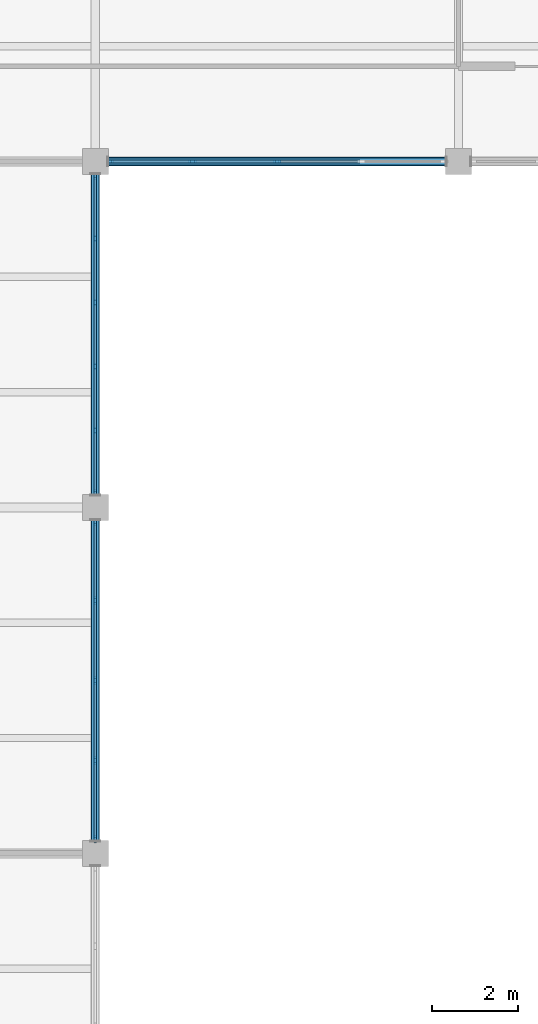
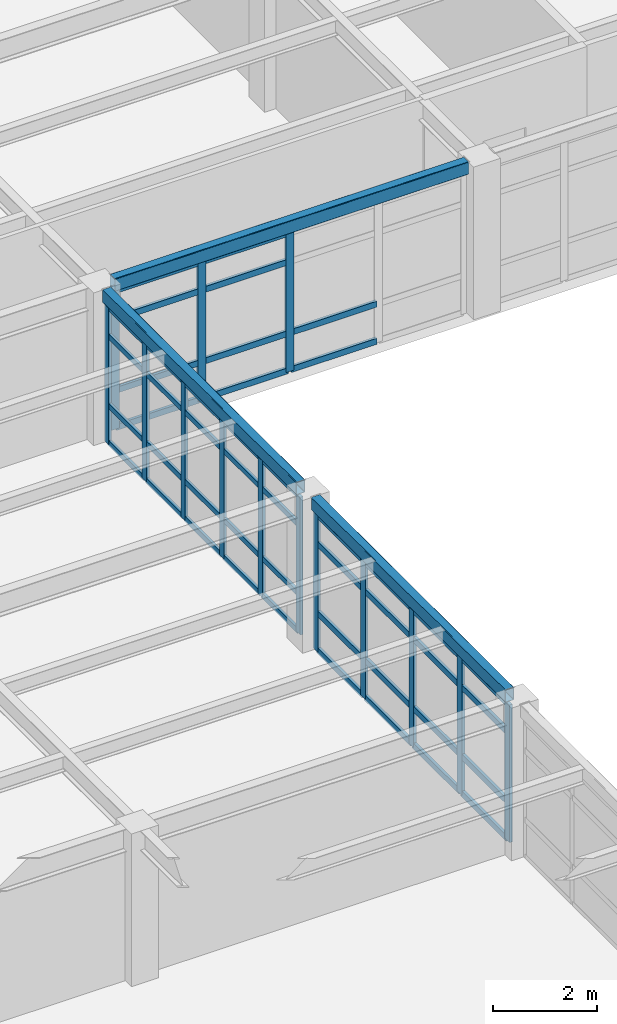
# One storey, part 23 of 96: 60 members, 3 beams, 3 elements without a shape of their own.
"""IFC4 building model written with IfcOpenShell, lengths in metres."""

from ifc_helpers import new_model, si_unit, direction, frame, origin, origin_2d, place, context, subcontext, project, spatial, rectangle, hollow_rectangle, extrude, material, layer, layer_set, material_profile, profile_set, type_object, element, aggregate, save


model = new_model("IFC4")

# Units and contexts
model_context = context("Model", 3, precision=1e-05, world=origin(), true_north=direction((0.0, 1.0)))
body_context = subcontext(model_context, "Body", "Model", "MODEL_VIEW")
ifc_project = project(units=[si_unit("LENGTHUNIT", "METRE"), si_unit("AREAUNIT", "SQUARE_METRE"), si_unit("VOLUMEUNIT", "CUBIC_METRE"), si_unit("PLANEANGLEUNIT", "RADIAN"), si_unit("MASSUNIT", "GRAM", prefix="KILO")], contexts=[model_context])

# Site, building, storey
site_placement = place(None, origin())
site = spatial("IfcSite", under=ifc_project, at=site_placement, CompositionType="ELEMENT")
building_placement = place(site_placement, origin())
building = spatial("IfcBuilding", under=site, at=building_placement, Name="Kranzveld Transit Interchange", CompositionType="ELEMENT")
storey_placement = place(building_placement, frame((0.0, 0.0, 9.52001953125)))
storey = spatial("IfcBuildingStorey", under=building, at=storey_placement, Name="L02", CompositionType="ELEMENT", Elevation=9.52001953125)

# Curtain wall, members
ifc_material_1 = material(Name="Bronze-anodised thermally broken aluminium", Category="aluminium")
ifc_layer_1 = layer(ifc_material_1, 0.1650390625)
ifc_layer_set_1 = layer_set([ifc_layer_1], Name="Bronze-anodised thermally broken aluminium")
curtain_wall_type_1 = type_object("IfcCurtainWallType", Name="Sunny Court Arcade Curtain Wall CW-2", PredefinedType="USERDEFINED", material=ifc_layer_set_1)
curtain_wall_1_placement = place(storey_placement, origin())
curtain_wall_1 = element("IfcCurtainWall", 1, at=curtain_wall_1_placement, inside=storey, type_object=curtain_wall_type_1, Name="L02 Curtain Wall 05/L-05/M", ObjectType="CURTAIN WALL", PredefinedType="USERDEFINED")
ifc_material_2 = material(Name="Bronze-anodised thermally broken aluminium", Category="aluminium")
ifc_material_profile_1 = material_profile(ifc_material_2, rectangle(XDim=0.06494140625, YDim=0.1650390625, at=origin_2d()), Name="ALU MULLION 65x165")
ifc_profile_set_1 = profile_set([ifc_material_profile_1], Name="Bronze-anodised thermally broken aluminium")
member_type_1 = type_object("IfcMemberType", Name="Curtain Wall Mullion 65x165 Alu", PredefinedType="MULLION", material=ifc_profile_set_1)
member_1_placement = place(storey_placement, frame((33.60009765625, 80.33251953125, 0.0), z_axis=(0.0, 0.0, 1.0), x_axis=(-1.0, 0.0, 0.0)))
member_1 = element("IfcMember", 2, at=member_1_placement, type_object=member_type_1, Name="CW-2 mullion 1", PredefinedType="MULLION", context=body_context, shape_type="SweptSolid", body=[
    extrude(rectangle(XDim=0.06494140625, YDim=0.1650390625, at=origin_2d()), origin(), (0.0, 0.0, 1.0), 3.218505859375),
])
member_2_placement = place(storey_placement, frame((33.60009765625, 81.780029296875, 0.0), z_axis=(0.0, 0.0, 1.0), x_axis=(-1.0, 0.0, 0.0)))
member_2 = element("IfcMember", 3, at=member_2_placement, type_object=member_type_1, Name="CW-2 mullion 2", PredefinedType="MULLION", context=body_context, shape_type="SweptSolid", body=[
    extrude(rectangle(XDim=0.06494140625, YDim=0.1650390625, at=origin_2d()), origin(), (0.0, 0.0, 1.0), 3.218505859375),
])
member_3_placement = place(storey_placement, frame((33.60009765625, 83.260009765625, 0.0), z_axis=(0.0, 0.0, 1.0), x_axis=(-1.0, 0.0, 0.0)))
member_3 = element("IfcMember", 4, at=member_3_placement, type_object=member_type_1, Name="CW-2 mullion 3", PredefinedType="MULLION", context=body_context, shape_type="SweptSolid", body=[
    extrude(rectangle(XDim=0.06494140625, YDim=0.1650390625, at=origin_2d()), origin(), (0.0, 0.0, 1.0), 3.218505859375),
])
member_4_placement = place(storey_placement, frame((33.60009765625, 84.739990234375, 0.0), z_axis=(0.0, 0.0, 1.0), x_axis=(-1.0, 0.0, 0.0)))
member_4 = element("IfcMember", 5, at=member_4_placement, type_object=member_type_1, Name="CW-2 mullion 4", PredefinedType="MULLION", context=body_context, shape_type="SweptSolid", body=[
    extrude(rectangle(XDim=0.06494140625, YDim=0.1650390625, at=origin_2d()), origin(), (0.0, 0.0, 1.0), 3.218505859375),
])
member_5_placement = place(storey_placement, frame((33.60009765625, 86.219970703125, 0.0), z_axis=(0.0, 0.0, 1.0), x_axis=(-1.0, 0.0, 0.0)))
member_5 = element("IfcMember", 6, at=member_5_placement, type_object=member_type_1, Name="CW-2 mullion 5", PredefinedType="MULLION", context=body_context, shape_type="SweptSolid", body=[
    extrude(rectangle(XDim=0.06494140625, YDim=0.1650390625, at=origin_2d()), origin(), (0.0, 0.0, 1.0), 3.218505859375),
])
member_6_placement = place(storey_placement, frame((33.60009765625, 87.66748046875, 0.0), z_axis=(0.0, 0.0, 1.0), x_axis=(-1.0, 0.0, 0.0)))
member_6 = element("IfcMember", 7, at=member_6_placement, type_object=member_type_1, Name="CW-2 mullion 6", PredefinedType="MULLION", context=body_context, shape_type="SweptSolid", body=[
    extrude(rectangle(XDim=0.06494140625, YDim=0.1650390625, at=origin_2d()), origin(), (0.0, 0.0, 1.0), 3.218505859375),
])

ifc_material_3 = material(Name="Bronze-anodised thermally broken aluminium", Category="aluminium")
ifc_layer_2 = layer(ifc_material_3, 0.18505859375)
ifc_layer_set_2 = layer_set([ifc_layer_2], Name="Bronze-anodised thermally broken aluminium")
curtain_wall_type_2 = type_object("IfcCurtainWallType", Name="Control Crown Observation Facade CW-5", PredefinedType="USERDEFINED", material=ifc_layer_set_2)
curtain_wall_2_placement = place(storey_placement, origin())
curtain_wall_2 = element("IfcCurtainWall", 8, at=curtain_wall_2_placement, inside=storey, type_object=curtain_wall_type_2, Name="L02 Curtain Wall 05/M-06/M", ObjectType="CURTAIN WALL", PredefinedType="USERDEFINED")
ifc_material_4 = material(Name="Bronze-anodised thermally broken aluminium", Category="aluminium")
ifc_material_profile_2 = material_profile(ifc_material_4, rectangle(XDim=0.06494140625, YDim=0.179931640625, at=origin_2d()), Name="ALU MULLION 65x180")
ifc_profile_set_2 = profile_set([ifc_material_profile_2], Name="Bronze-anodised thermally broken aluminium")
member_type_2 = type_object("IfcMemberType", Name="Curtain Wall Mullion 65x180 Alu", PredefinedType="MULLION", material=ifc_profile_set_2)
member_7_placement = place(storey_placement, frame((33.9326171875, 88.0, 0.0), z_axis=(0.0, 0.0, 1.0), x_axis=(0.0, 1.0, 0.0)))
member_7 = element("IfcMember", 9, at=member_7_placement, type_object=member_type_2, Name="CW-5 mullion 1", PredefinedType="MULLION", context=body_context, shape_type="SweptSolid", body=[
    extrude(rectangle(XDim=0.06494140625, YDim=0.179931640625, at=origin_2d()), origin(), (0.0, 0.0, 1.0), 3.27001953125),
])
member_8_placement = place(storey_placement, frame((35.85009765625, 88.0, 0.0), z_axis=(0.0, 0.0, 1.0), x_axis=(0.0, 1.0, 0.0)))
member_8 = element("IfcMember", 10, at=member_8_placement, type_object=member_type_2, Name="CW-5 mullion 2", PredefinedType="MULLION", context=body_context, shape_type="SweptSolid", body=[
    extrude(rectangle(XDim=0.06494140625, YDim=0.179931640625, at=origin_2d()), origin(), (0.0, 0.0, 1.0), 3.27001953125),
])
member_9_placement = place(storey_placement, frame((37.800048828125, 88.0, 0.0), z_axis=(0.0, 0.0, 1.0), x_axis=(0.0, 1.0, 0.0)))
member_9 = element("IfcMember", 11, at=member_9_placement, type_object=member_type_2, Name="CW-5 mullion 3", PredefinedType="MULLION", context=body_context, shape_type="SweptSolid", body=[
    extrude(rectangle(XDim=0.06494140625, YDim=0.179931640625, at=origin_2d()), origin(), (0.0, 0.0, 1.0), 3.27001953125),
])

ifc_material_5 = material(Name="Bronze-anodised thermally broken aluminium", Category="aluminium")
ifc_layer_3 = layer(ifc_material_5, 0.179931640625)
ifc_layer_set_3 = layer_set([ifc_layer_3], Name="Bronze-anodised thermally broken aluminium")
curtain_wall_type_3 = type_object("IfcCurtainWallType", Name="Concourse Unitised Curtain Wall CW-1", PredefinedType="USERDEFINED", material=ifc_layer_set_3)
curtain_wall_3_placement = place(storey_placement, origin())
curtain_wall_3 = element("IfcCurtainWall", 12, at=curtain_wall_3_placement, inside=storey, type_object=curtain_wall_type_3, Name="L02 Curtain Wall 05/K-05/L", ObjectType="CURTAIN WALL", PredefinedType="USERDEFINED")
member_10_placement = place(storey_placement, frame((33.60009765625, 72.33251953125, 0.0), z_axis=(0.0, 0.0, 1.0), x_axis=(-1.0, 0.0, 0.0)))
member_10 = element("IfcMember", 13, at=member_10_placement, type_object=member_type_2, Name="CW-1 mullion 1", PredefinedType="MULLION", context=body_context, shape_type="SweptSolid", body=[
    extrude(rectangle(XDim=0.06494140625, YDim=0.179931640625, at=origin_2d()), origin(), (0.0, 0.0, 1.0), 3.218505859375),
])
member_11_placement = place(storey_placement, frame((33.60009765625, 74.14990234375, 0.0), z_axis=(0.0, 0.0, 1.0), x_axis=(-1.0, 0.0, 0.0)))
member_11 = element("IfcMember", 14, at=member_11_placement, type_object=member_type_2, Name="CW-1 mullion 2", PredefinedType="MULLION", context=body_context, shape_type="SweptSolid", body=[
    extrude(rectangle(XDim=0.06494140625, YDim=0.179931640625, at=origin_2d()), origin(), (0.0, 0.0, 1.0), 3.218505859375),
])
member_12_placement = place(storey_placement, frame((33.60009765625, 76.0, 0.0), z_axis=(0.0, 0.0, 1.0), x_axis=(-1.0, 0.0, 0.0)))
member_12 = element("IfcMember", 15, at=member_12_placement, type_object=member_type_2, Name="CW-1 mullion 3", PredefinedType="MULLION", context=body_context, shape_type="SweptSolid", body=[
    extrude(rectangle(XDim=0.06494140625, YDim=0.179931640625, at=origin_2d()), origin(), (0.0, 0.0, 1.0), 3.218505859375),
])
member_13_placement = place(storey_placement, frame((33.60009765625, 77.85009765625, 0.0), z_axis=(0.0, 0.0, 1.0), x_axis=(-1.0, 0.0, 0.0)))
member_13 = element("IfcMember", 16, at=member_13_placement, type_object=member_type_2, Name="CW-1 mullion 4", PredefinedType="MULLION", context=body_context, shape_type="SweptSolid", body=[
    extrude(rectangle(XDim=0.06494140625, YDim=0.179931640625, at=origin_2d()), origin(), (0.0, 0.0, 1.0), 3.218505859375),
])
member_14_placement = place(storey_placement, frame((33.60009765625, 79.66748046875, 0.0), z_axis=(0.0, 0.0, 1.0), x_axis=(-1.0, 0.0, 0.0)))
member_14 = element("IfcMember", 17, at=member_14_placement, type_object=member_type_2, Name="CW-1 mullion 5", PredefinedType="MULLION", context=body_context, shape_type="SweptSolid", body=[
    extrude(rectangle(XDim=0.06494140625, YDim=0.179931640625, at=origin_2d()), origin(), (0.0, 0.0, 1.0), 3.218505859375),
])

# Member
ifc_material_6 = material(Name="Bronze-anodised thermally broken aluminium", Category="aluminium")
ifc_material_profile_3 = material_profile(ifc_material_6, rectangle(XDim=0.06005859375, YDim=0.125, at=origin_2d()), Name="ALU TRANSOM 60x125")
ifc_profile_set_3 = profile_set([ifc_material_profile_3], Name="Bronze-anodised thermally broken aluminium")
member_type_3 = type_object("IfcMemberType", Name="Curtain Wall Transom 60x125 Alu", PredefinedType="USERDEFINED", material=ifc_profile_set_3)
member_15_placement = place(storey_placement, frame((33.60009765625, 80.364990234375, 0.030029296875), z_axis=(0.0, 1.0, 0.0), x_axis=(-1.0, 0.0, 0.0)))
member_15 = element("IfcMember", 18, at=member_15_placement, type_object=member_type_3, Name="CW-2 transom 1.1", ObjectType="TRANSOM", PredefinedType="USERDEFINED", context=body_context, shape_type="SweptSolid", body=[
    extrude(rectangle(XDim=0.06005859375, YDim=0.125, at=origin_2d()), origin(), (0.0, 0.0, 1.0), 1.382568359375),
])

member_16_placement = place(storey_placement, frame((33.60009765625, 80.364990234375, 0.89990234375), z_axis=(0.0, 1.0, 0.0), x_axis=(-1.0, 0.0, 0.0)))
member_16 = element("IfcMember", 19, at=member_16_placement, type_object=member_type_3, Name="CW-2 transom 1.2", ObjectType="TRANSOM", PredefinedType="USERDEFINED", context=body_context, shape_type="SweptSolid", body=[
    extrude(rectangle(XDim=0.06005859375, YDim=0.125, at=origin_2d()), origin(), (0.0, 0.0, 1.0), 1.382568359375),
])

member_17_placement = place(storey_placement, frame((33.60009765625, 80.364990234375, 2.5185546875), z_axis=(0.0, 1.0, 0.0), x_axis=(-1.0, 0.0, 0.0)))
member_17 = element("IfcMember", 20, at=member_17_placement, type_object=member_type_3, Name="CW-2 transom 1.3", ObjectType="TRANSOM", PredefinedType="USERDEFINED", context=body_context, shape_type="SweptSolid", body=[
    extrude(rectangle(XDim=0.06005859375, YDim=0.125, at=origin_2d()), origin(), (0.0, 0.0, 1.0), 1.382568359375),
])

member_18_placement = place(storey_placement, frame((33.60009765625, 80.364990234375, 3.1884765625), z_axis=(0.0, 1.0, 0.0), x_axis=(-1.0, 0.0, 0.0)))
member_18 = element("IfcMember", 21, at=member_18_placement, type_object=member_type_3, Name="CW-2 transom 1.4", ObjectType="TRANSOM", PredefinedType="USERDEFINED", context=body_context, shape_type="SweptSolid", body=[
    extrude(rectangle(XDim=0.06005859375, YDim=0.125, at=origin_2d()), origin(), (0.0, 0.0, 1.0), 1.382568359375),
])

member_19_placement = place(storey_placement, frame((33.60009765625, 81.8125, 0.030029296875), z_axis=(0.0, 1.0, 0.0), x_axis=(-1.0, 0.0, 0.0)))
member_19 = element("IfcMember", 22, at=member_19_placement, type_object=member_type_3, Name="CW-2 transom 2.1", ObjectType="TRANSOM", PredefinedType="USERDEFINED", context=body_context, shape_type="SweptSolid", body=[
    extrude(rectangle(XDim=0.06005859375, YDim=0.125, at=origin_2d()), origin(), (0.0, 0.0, 1.0), 1.4150390625),
])

member_20_placement = place(storey_placement, frame((33.60009765625, 81.8125, 0.89990234375), z_axis=(0.0, 1.0, 0.0), x_axis=(-1.0, 0.0, 0.0)))
member_20 = element("IfcMember", 23, at=member_20_placement, type_object=member_type_3, Name="CW-2 transom 2.2", ObjectType="TRANSOM", PredefinedType="USERDEFINED", context=body_context, shape_type="SweptSolid", body=[
    extrude(rectangle(XDim=0.06005859375, YDim=0.125, at=origin_2d()), origin(), (0.0, 0.0, 1.0), 1.4150390625),
])

member_21_placement = place(storey_placement, frame((33.60009765625, 81.8125, 2.5185546875), z_axis=(0.0, 1.0, 0.0), x_axis=(-1.0, 0.0, 0.0)))
member_21 = element("IfcMember", 24, at=member_21_placement, type_object=member_type_3, Name="CW-2 transom 2.3", ObjectType="TRANSOM", PredefinedType="USERDEFINED", context=body_context, shape_type="SweptSolid", body=[
    extrude(rectangle(XDim=0.06005859375, YDim=0.125, at=origin_2d()), origin(), (0.0, 0.0, 1.0), 1.4150390625),
])

member_22_placement = place(storey_placement, frame((33.60009765625, 81.8125, 3.1884765625), z_axis=(0.0, 1.0, 0.0), x_axis=(-1.0, 0.0, 0.0)))
member_22 = element("IfcMember", 25, at=member_22_placement, type_object=member_type_3, Name="CW-2 transom 2.4", ObjectType="TRANSOM", PredefinedType="USERDEFINED", context=body_context, shape_type="SweptSolid", body=[
    extrude(rectangle(XDim=0.06005859375, YDim=0.125, at=origin_2d()), origin(), (0.0, 0.0, 1.0), 1.4150390625),
])

member_23_placement = place(storey_placement, frame((33.60009765625, 83.29248046875, 0.030029296875), z_axis=(0.0, 1.0, 0.0), x_axis=(-1.0, 0.0, 0.0)))
member_23 = element("IfcMember", 26, at=member_23_placement, type_object=member_type_3, Name="CW-2 transom 3.1", ObjectType="TRANSOM", PredefinedType="USERDEFINED", context=body_context, shape_type="SweptSolid", body=[
    extrude(rectangle(XDim=0.06005859375, YDim=0.125, at=origin_2d()), origin(), (0.0, 0.0, 1.0), 1.4150390625),
])

member_24_placement = place(storey_placement, frame((33.60009765625, 83.29248046875, 0.89990234375), z_axis=(0.0, 1.0, 0.0), x_axis=(-1.0, 0.0, 0.0)))
member_24 = element("IfcMember", 27, at=member_24_placement, type_object=member_type_3, Name="CW-2 transom 3.2", ObjectType="TRANSOM", PredefinedType="USERDEFINED", context=body_context, shape_type="SweptSolid", body=[
    extrude(rectangle(XDim=0.06005859375, YDim=0.125, at=origin_2d()), origin(), (0.0, 0.0, 1.0), 1.4150390625),
])

member_25_placement = place(storey_placement, frame((33.60009765625, 83.29248046875, 2.5185546875), z_axis=(0.0, 1.0, 0.0), x_axis=(-1.0, 0.0, 0.0)))
member_25 = element("IfcMember", 28, at=member_25_placement, type_object=member_type_3, Name="CW-2 transom 3.3", ObjectType="TRANSOM", PredefinedType="USERDEFINED", context=body_context, shape_type="SweptSolid", body=[
    extrude(rectangle(XDim=0.06005859375, YDim=0.125, at=origin_2d()), origin(), (0.0, 0.0, 1.0), 1.4150390625),
])

member_26_placement = place(storey_placement, frame((33.60009765625, 83.29248046875, 3.1884765625), z_axis=(0.0, 1.0, 0.0), x_axis=(-1.0, 0.0, 0.0)))
member_26 = element("IfcMember", 29, at=member_26_placement, type_object=member_type_3, Name="CW-2 transom 3.4", ObjectType="TRANSOM", PredefinedType="USERDEFINED", context=body_context, shape_type="SweptSolid", body=[
    extrude(rectangle(XDim=0.06005859375, YDim=0.125, at=origin_2d()), origin(), (0.0, 0.0, 1.0), 1.4150390625),
])

member_27_placement = place(storey_placement, frame((33.60009765625, 84.7724609375, 0.030029296875), z_axis=(0.0, 1.0, 0.0), x_axis=(-1.0, 0.0, 0.0)))
member_27 = element("IfcMember", 30, at=member_27_placement, type_object=member_type_3, Name="CW-2 transom 4.1", ObjectType="TRANSOM", PredefinedType="USERDEFINED", context=body_context, shape_type="SweptSolid", body=[
    extrude(rectangle(XDim=0.06005859375, YDim=0.125, at=origin_2d()), origin(), (0.0, 0.0, 1.0), 1.4150390625),
])

member_28_placement = place(storey_placement, frame((33.60009765625, 84.7724609375, 0.89990234375), z_axis=(0.0, 1.0, 0.0), x_axis=(-1.0, 0.0, 0.0)))
member_28 = element("IfcMember", 31, at=member_28_placement, type_object=member_type_3, Name="CW-2 transom 4.2", ObjectType="TRANSOM", PredefinedType="USERDEFINED", context=body_context, shape_type="SweptSolid", body=[
    extrude(rectangle(XDim=0.06005859375, YDim=0.125, at=origin_2d()), origin(), (0.0, 0.0, 1.0), 1.4150390625),
])

member_29_placement = place(storey_placement, frame((33.60009765625, 84.7724609375, 2.5185546875), z_axis=(0.0, 1.0, 0.0), x_axis=(-1.0, 0.0, 0.0)))
member_29 = element("IfcMember", 32, at=member_29_placement, type_object=member_type_3, Name="CW-2 transom 4.3", ObjectType="TRANSOM", PredefinedType="USERDEFINED", context=body_context, shape_type="SweptSolid", body=[
    extrude(rectangle(XDim=0.06005859375, YDim=0.125, at=origin_2d()), origin(), (0.0, 0.0, 1.0), 1.4150390625),
])

member_30_placement = place(storey_placement, frame((33.60009765625, 84.7724609375, 3.1884765625), z_axis=(0.0, 1.0, 0.0), x_axis=(-1.0, 0.0, 0.0)))
member_30 = element("IfcMember", 33, at=member_30_placement, type_object=member_type_3, Name="CW-2 transom 4.4", ObjectType="TRANSOM", PredefinedType="USERDEFINED", context=body_context, shape_type="SweptSolid", body=[
    extrude(rectangle(XDim=0.06005859375, YDim=0.125, at=origin_2d()), origin(), (0.0, 0.0, 1.0), 1.4150390625),
])

member_31_placement = place(storey_placement, frame((33.60009765625, 86.25244140625, 0.030029296875), z_axis=(0.0, 1.0, 0.0), x_axis=(-1.0, 0.0, 0.0)))
member_31 = element("IfcMember", 34, at=member_31_placement, type_object=member_type_3, Name="CW-2 transom 5.1", ObjectType="TRANSOM", PredefinedType="USERDEFINED", context=body_context, shape_type="SweptSolid", body=[
    extrude(rectangle(XDim=0.06005859375, YDim=0.125, at=origin_2d()), origin(), (0.0, 0.0, 1.0), 1.382568359375),
])

member_32_placement = place(storey_placement, frame((33.60009765625, 86.25244140625, 0.89990234375), z_axis=(0.0, 1.0, 0.0), x_axis=(-1.0, 0.0, 0.0)))
member_32 = element("IfcMember", 35, at=member_32_placement, type_object=member_type_3, Name="CW-2 transom 5.2", ObjectType="TRANSOM", PredefinedType="USERDEFINED", context=body_context, shape_type="SweptSolid", body=[
    extrude(rectangle(XDim=0.06005859375, YDim=0.125, at=origin_2d()), origin(), (0.0, 0.0, 1.0), 1.382568359375),
])

member_33_placement = place(storey_placement, frame((33.60009765625, 86.25244140625, 2.5185546875), z_axis=(0.0, 1.0, 0.0), x_axis=(-1.0, 0.0, 0.0)))
member_33 = element("IfcMember", 36, at=member_33_placement, type_object=member_type_3, Name="CW-2 transom 5.3", ObjectType="TRANSOM", PredefinedType="USERDEFINED", context=body_context, shape_type="SweptSolid", body=[
    extrude(rectangle(XDim=0.06005859375, YDim=0.125, at=origin_2d()), origin(), (0.0, 0.0, 1.0), 1.382568359375),
])

member_34_placement = place(storey_placement, frame((33.60009765625, 86.25244140625, 3.1884765625), z_axis=(0.0, 1.0, 0.0), x_axis=(-1.0, 0.0, 0.0)))
member_34 = element("IfcMember", 37, at=member_34_placement, type_object=member_type_3, Name="CW-2 transom 5.4", ObjectType="TRANSOM", PredefinedType="USERDEFINED", context=body_context, shape_type="SweptSolid", body=[
    extrude(rectangle(XDim=0.06005859375, YDim=0.125, at=origin_2d()), origin(), (0.0, 0.0, 1.0), 1.382568359375),
])

aggregate(curtain_wall_1, [member_1, member_2, member_3, member_4, member_5, member_6, member_15, member_16, member_17, member_18, member_19, member_20, member_21, member_22, member_23, member_24, member_25, member_26, member_27, member_28, member_29, member_30, member_31, member_32, member_33, member_34])

ifc_material_7 = material(Name="Bronze-anodised thermally broken aluminium", Category="aluminium")
ifc_material_profile_4 = material_profile(ifc_material_7, rectangle(XDim=0.06494140625, YDim=0.139892578125, at=origin_2d()), Name="ALU TRANSOM 65x140")
ifc_profile_set_4 = profile_set([ifc_material_profile_4], Name="Bronze-anodised thermally broken aluminium")
member_type_4 = type_object("IfcMemberType", Name="Curtain Wall Transom 65x140 Alu", PredefinedType="USERDEFINED", material=ifc_profile_set_4)
member_35_placement = place(storey_placement, frame((33.965087890625, 88.0, 0.032470703125), z_axis=(1.0, 0.0, 0.0), x_axis=(0.0, 1.0, 0.0)))
member_35 = element("IfcMember", 38, at=member_35_placement, type_object=member_type_4, Name="CW-5 transom 1.1", ObjectType="TRANSOM", PredefinedType="USERDEFINED", context=body_context, shape_type="SweptSolid", body=[
    extrude(rectangle(XDim=0.06494140625, YDim=0.139892578125, at=origin_2d()), origin(), (0.0, 0.0, 1.0), 1.852294921875),
])

member_36_placement = place(storey_placement, frame((33.965087890625, 88.0, 0.89990234375), z_axis=(1.0, 0.0, 0.0), x_axis=(0.0, 1.0, 0.0)))
member_36 = element("IfcMember", 39, at=member_36_placement, type_object=member_type_4, Name="CW-5 transom 1.2", ObjectType="TRANSOM", PredefinedType="USERDEFINED", context=body_context, shape_type="SweptSolid", body=[
    extrude(rectangle(XDim=0.06494140625, YDim=0.139892578125, at=origin_2d()), origin(), (0.0, 0.0, 1.0), 1.852294921875),
])

member_37_placement = place(storey_placement, frame((33.965087890625, 88.0, 2.570068359375), z_axis=(1.0, 0.0, 0.0), x_axis=(0.0, 1.0, 0.0)))
member_37 = element("IfcMember", 40, at=member_37_placement, type_object=member_type_4, Name="CW-5 transom 1.3", ObjectType="TRANSOM", PredefinedType="USERDEFINED", context=body_context, shape_type="SweptSolid", body=[
    extrude(rectangle(XDim=0.06494140625, YDim=0.139892578125, at=origin_2d()), origin(), (0.0, 0.0, 1.0), 1.852294921875),
])

member_38_placement = place(storey_placement, frame((33.965087890625, 88.0, 3.237548828125), z_axis=(1.0, 0.0, 0.0), x_axis=(0.0, 1.0, 0.0)))
member_38 = element("IfcMember", 41, at=member_38_placement, type_object=member_type_4, Name="CW-5 transom 1.4", ObjectType="TRANSOM", PredefinedType="USERDEFINED", context=body_context, shape_type="SweptSolid", body=[
    extrude(rectangle(XDim=0.06494140625, YDim=0.139892578125, at=origin_2d()), origin(), (0.0, 0.0, 1.0), 1.852294921875),
])

member_39_placement = place(storey_placement, frame((35.882568359375, 88.0, 0.032470703125), z_axis=(1.0, 0.0, 0.0), x_axis=(0.0, 1.0, 0.0)))
member_39 = element("IfcMember", 42, at=member_39_placement, type_object=member_type_4, Name="CW-5 transom 2.1", ObjectType="TRANSOM", PredefinedType="USERDEFINED", context=body_context, shape_type="SweptSolid", body=[
    extrude(rectangle(XDim=0.06494140625, YDim=0.139892578125, at=origin_2d()), origin(), (0.0, 0.0, 1.0), 1.885009765625),
])

member_40_placement = place(storey_placement, frame((35.882568359375, 88.0, 0.89990234375), z_axis=(1.0, 0.0, 0.0), x_axis=(0.0, 1.0, 0.0)))
member_40 = element("IfcMember", 43, at=member_40_placement, type_object=member_type_4, Name="CW-5 transom 2.2", ObjectType="TRANSOM", PredefinedType="USERDEFINED", context=body_context, shape_type="SweptSolid", body=[
    extrude(rectangle(XDim=0.06494140625, YDim=0.139892578125, at=origin_2d()), origin(), (0.0, 0.0, 1.0), 1.885009765625),
])

member_41_placement = place(storey_placement, frame((35.882568359375, 88.0, 2.570068359375), z_axis=(1.0, 0.0, 0.0), x_axis=(0.0, 1.0, 0.0)))
member_41 = element("IfcMember", 44, at=member_41_placement, type_object=member_type_4, Name="CW-5 transom 2.3", ObjectType="TRANSOM", PredefinedType="USERDEFINED", context=body_context, shape_type="SweptSolid", body=[
    extrude(rectangle(XDim=0.06494140625, YDim=0.139892578125, at=origin_2d()), origin(), (0.0, 0.0, 1.0), 1.885009765625),
])

member_42_placement = place(storey_placement, frame((35.882568359375, 88.0, 3.237548828125), z_axis=(1.0, 0.0, 0.0), x_axis=(0.0, 1.0, 0.0)))
member_42 = element("IfcMember", 45, at=member_42_placement, type_object=member_type_4, Name="CW-5 transom 2.4", ObjectType="TRANSOM", PredefinedType="USERDEFINED", context=body_context, shape_type="SweptSolid", body=[
    extrude(rectangle(XDim=0.06494140625, YDim=0.139892578125, at=origin_2d()), origin(), (0.0, 0.0, 1.0), 1.885009765625),
])

member_43_placement = place(storey_placement, frame((37.83251953125, 88.0, 0.032470703125), z_axis=(1.0, 0.0, 0.0), x_axis=(0.0, 1.0, 0.0)))
member_43 = element("IfcMember", 46, at=member_43_placement, type_object=member_type_4, Name="CW-5 transom 3.1", ObjectType="TRANSOM", PredefinedType="USERDEFINED", context=body_context, shape_type="SweptSolid", body=[
    extrude(rectangle(XDim=0.06494140625, YDim=0.139892578125, at=origin_2d()), origin(), (0.0, 0.0, 1.0), 1.885009765625),
])

member_44_placement = place(storey_placement, frame((37.83251953125, 88.0, 0.89990234375), z_axis=(1.0, 0.0, 0.0), x_axis=(0.0, 1.0, 0.0)))
member_44 = element("IfcMember", 47, at=member_44_placement, type_object=member_type_4, Name="CW-5 transom 3.2", ObjectType="TRANSOM", PredefinedType="USERDEFINED", context=body_context, shape_type="SweptSolid", body=[
    extrude(rectangle(XDim=0.06494140625, YDim=0.139892578125, at=origin_2d()), origin(), (0.0, 0.0, 1.0), 1.885009765625),
])

aggregate(curtain_wall_2, [member_7, member_8, member_9, member_35, member_36, member_37, member_38, member_39, member_40, member_41, member_42, member_43, member_44])

member_45_placement = place(storey_placement, frame((33.60009765625, 72.364990234375, 0.032470703125), z_axis=(0.0, 1.0, 0.0), x_axis=(-1.0, 0.0, 0.0)))
member_45 = element("IfcMember", 48, at=member_45_placement, type_object=member_type_4, Name="CW-1 transom 1.1", ObjectType="TRANSOM", PredefinedType="USERDEFINED", context=body_context, shape_type="SweptSolid", body=[
    extrude(rectangle(XDim=0.06494140625, YDim=0.139892578125, at=origin_2d()), origin(), (0.0, 0.0, 1.0), 1.75244140625),
])

member_46_placement = place(storey_placement, frame((33.60009765625, 72.364990234375, 0.89990234375), z_axis=(0.0, 1.0, 0.0), x_axis=(-1.0, 0.0, 0.0)))
member_46 = element("IfcMember", 49, at=member_46_placement, type_object=member_type_4, Name="CW-1 transom 1.2", ObjectType="TRANSOM", PredefinedType="USERDEFINED", context=body_context, shape_type="SweptSolid", body=[
    extrude(rectangle(XDim=0.06494140625, YDim=0.139892578125, at=origin_2d()), origin(), (0.0, 0.0, 1.0), 1.75244140625),
])

member_47_placement = place(storey_placement, frame((33.60009765625, 72.364990234375, 2.5185546875), z_axis=(0.0, 1.0, 0.0), x_axis=(-1.0, 0.0, 0.0)))
member_47 = element("IfcMember", 50, at=member_47_placement, type_object=member_type_4, Name="CW-1 transom 1.3", ObjectType="TRANSOM", PredefinedType="USERDEFINED", context=body_context, shape_type="SweptSolid", body=[
    extrude(rectangle(XDim=0.06494140625, YDim=0.139892578125, at=origin_2d()), origin(), (0.0, 0.0, 1.0), 1.75244140625),
])

member_48_placement = place(storey_placement, frame((33.60009765625, 72.364990234375, 3.18603515625), z_axis=(0.0, 1.0, 0.0), x_axis=(-1.0, 0.0, 0.0)))
member_48 = element("IfcMember", 51, at=member_48_placement, type_object=member_type_4, Name="CW-1 transom 1.4", ObjectType="TRANSOM", PredefinedType="USERDEFINED", context=body_context, shape_type="SweptSolid", body=[
    extrude(rectangle(XDim=0.06494140625, YDim=0.139892578125, at=origin_2d()), origin(), (0.0, 0.0, 1.0), 1.75244140625),
])

member_49_placement = place(storey_placement, frame((33.60009765625, 74.1826171875, 0.032470703125), z_axis=(0.0, 1.0, 0.0), x_axis=(-1.0, 0.0, 0.0)))
member_49 = element("IfcMember", 52, at=member_49_placement, type_object=member_type_4, Name="CW-1 transom 2.1", ObjectType="TRANSOM", PredefinedType="USERDEFINED", context=body_context, shape_type="SweptSolid", body=[
    extrude(rectangle(XDim=0.06494140625, YDim=0.139892578125, at=origin_2d()), origin(), (0.0, 0.0, 1.0), 1.784912109375),
])

member_50_placement = place(storey_placement, frame((33.60009765625, 74.1826171875, 0.89990234375), z_axis=(0.0, 1.0, 0.0), x_axis=(-1.0, 0.0, 0.0)))
member_50 = element("IfcMember", 53, at=member_50_placement, type_object=member_type_4, Name="CW-1 transom 2.2", ObjectType="TRANSOM", PredefinedType="USERDEFINED", context=body_context, shape_type="SweptSolid", body=[
    extrude(rectangle(XDim=0.06494140625, YDim=0.139892578125, at=origin_2d()), origin(), (0.0, 0.0, 1.0), 1.784912109375),
])

member_51_placement = place(storey_placement, frame((33.60009765625, 74.1826171875, 2.5185546875), z_axis=(0.0, 1.0, 0.0), x_axis=(-1.0, 0.0, 0.0)))
member_51 = element("IfcMember", 54, at=member_51_placement, type_object=member_type_4, Name="CW-1 transom 2.3", ObjectType="TRANSOM", PredefinedType="USERDEFINED", context=body_context, shape_type="SweptSolid", body=[
    extrude(rectangle(XDim=0.06494140625, YDim=0.139892578125, at=origin_2d()), origin(), (0.0, 0.0, 1.0), 1.784912109375),
])

member_52_placement = place(storey_placement, frame((33.60009765625, 74.1826171875, 3.18603515625), z_axis=(0.0, 1.0, 0.0), x_axis=(-1.0, 0.0, 0.0)))
member_52 = element("IfcMember", 55, at=member_52_placement, type_object=member_type_4, Name="CW-1 transom 2.4", ObjectType="TRANSOM", PredefinedType="USERDEFINED", context=body_context, shape_type="SweptSolid", body=[
    extrude(rectangle(XDim=0.06494140625, YDim=0.139892578125, at=origin_2d()), origin(), (0.0, 0.0, 1.0), 1.784912109375),
])

member_53_placement = place(storey_placement, frame((33.60009765625, 76.032470703125, 0.032470703125), z_axis=(0.0, 1.0, 0.0), x_axis=(-1.0, 0.0, 0.0)))
member_53 = element("IfcMember", 56, at=member_53_placement, type_object=member_type_4, Name="CW-1 transom 3.1", ObjectType="TRANSOM", PredefinedType="USERDEFINED", context=body_context, shape_type="SweptSolid", body=[
    extrude(rectangle(XDim=0.06494140625, YDim=0.139892578125, at=origin_2d()), origin(), (0.0, 0.0, 1.0), 1.784912109375),
])

member_54_placement = place(storey_placement, frame((33.60009765625, 76.032470703125, 0.89990234375), z_axis=(0.0, 1.0, 0.0), x_axis=(-1.0, 0.0, 0.0)))
member_54 = element("IfcMember", 57, at=member_54_placement, type_object=member_type_4, Name="CW-1 transom 3.2", ObjectType="TRANSOM", PredefinedType="USERDEFINED", context=body_context, shape_type="SweptSolid", body=[
    extrude(rectangle(XDim=0.06494140625, YDim=0.139892578125, at=origin_2d()), origin(), (0.0, 0.0, 1.0), 1.784912109375),
])

member_55_placement = place(storey_placement, frame((33.60009765625, 76.032470703125, 2.5185546875), z_axis=(0.0, 1.0, 0.0), x_axis=(-1.0, 0.0, 0.0)))
member_55 = element("IfcMember", 58, at=member_55_placement, type_object=member_type_4, Name="CW-1 transom 3.3", ObjectType="TRANSOM", PredefinedType="USERDEFINED", context=body_context, shape_type="SweptSolid", body=[
    extrude(rectangle(XDim=0.06494140625, YDim=0.139892578125, at=origin_2d()), origin(), (0.0, 0.0, 1.0), 1.784912109375),
])

member_56_placement = place(storey_placement, frame((33.60009765625, 76.032470703125, 3.18603515625), z_axis=(0.0, 1.0, 0.0), x_axis=(-1.0, 0.0, 0.0)))
member_56 = element("IfcMember", 59, at=member_56_placement, type_object=member_type_4, Name="CW-1 transom 3.4", ObjectType="TRANSOM", PredefinedType="USERDEFINED", context=body_context, shape_type="SweptSolid", body=[
    extrude(rectangle(XDim=0.06494140625, YDim=0.139892578125, at=origin_2d()), origin(), (0.0, 0.0, 1.0), 1.784912109375),
])

member_57_placement = place(storey_placement, frame((33.60009765625, 77.882568359375, 0.032470703125), z_axis=(0.0, 1.0, 0.0), x_axis=(-1.0, 0.0, 0.0)))
member_57 = element("IfcMember", 60, at=member_57_placement, type_object=member_type_4, Name="CW-1 transom 4.1", ObjectType="TRANSOM", PredefinedType="USERDEFINED", context=body_context, shape_type="SweptSolid", body=[
    extrude(rectangle(XDim=0.06494140625, YDim=0.139892578125, at=origin_2d()), origin(), (0.0, 0.0, 1.0), 1.75244140625),
])

member_58_placement = place(storey_placement, frame((33.60009765625, 77.882568359375, 0.89990234375), z_axis=(0.0, 1.0, 0.0), x_axis=(-1.0, 0.0, 0.0)))
member_58 = element("IfcMember", 61, at=member_58_placement, type_object=member_type_4, Name="CW-1 transom 4.2", ObjectType="TRANSOM", PredefinedType="USERDEFINED", context=body_context, shape_type="SweptSolid", body=[
    extrude(rectangle(XDim=0.06494140625, YDim=0.139892578125, at=origin_2d()), origin(), (0.0, 0.0, 1.0), 1.75244140625),
])

member_59_placement = place(storey_placement, frame((33.60009765625, 77.882568359375, 2.5185546875), z_axis=(0.0, 1.0, 0.0), x_axis=(-1.0, 0.0, 0.0)))
member_59 = element("IfcMember", 62, at=member_59_placement, type_object=member_type_4, Name="CW-1 transom 4.3", ObjectType="TRANSOM", PredefinedType="USERDEFINED", context=body_context, shape_type="SweptSolid", body=[
    extrude(rectangle(XDim=0.06494140625, YDim=0.139892578125, at=origin_2d()), origin(), (0.0, 0.0, 1.0), 1.75244140625),
])

member_60_placement = place(storey_placement, frame((33.60009765625, 77.882568359375, 3.18603515625), z_axis=(0.0, 1.0, 0.0), x_axis=(-1.0, 0.0, 0.0)))
member_60 = element("IfcMember", 63, at=member_60_placement, type_object=member_type_4, Name="CW-1 transom 4.4", ObjectType="TRANSOM", PredefinedType="USERDEFINED", context=body_context, shape_type="SweptSolid", body=[
    extrude(rectangle(XDim=0.06494140625, YDim=0.139892578125, at=origin_2d()), origin(), (0.0, 0.0, 1.0), 1.75244140625),
])

aggregate(curtain_wall_3, [member_10, member_11, member_12, member_13, member_14, member_45, member_46, member_47, member_48, member_49, member_50, member_51, member_52, member_53, member_54, member_55, member_56, member_57, member_58, member_59, member_60])

# Beams
ifc_material_8 = material(Name="Steel S355JR", Category="steel")
ifc_material_profile_5 = material_profile(ifc_material_8, hollow_rectangle(XDim=0.199951171875, YDim=0.300048828125, WallThickness=0.010009765625, InnerFilletRadius=0.014892578125, OuterFilletRadius=0.02490234375, at=origin_2d()), Name="RHS 300x200x10")
ifc_profile_set_5 = profile_set([ifc_material_profile_5], Name="Steel S355JR")
beam_type = type_object("IfcBeamType", Name="Edge Spandrel RHS 300x200x10 S355JR", PredefinedType="SPANDREL", material=ifc_profile_set_5)
beam_placement = place(storey_placement, frame((33.889892578125, 88.0, 3.419921875), z_axis=(1.0, 0.0, 0.0), x_axis=(0.0, 1.0, 0.0)))
element("IfcBeam", 64, at=beam_placement, inside=storey, type_object=beam_type, Name="L02 Girder 05-06/M", PredefinedType="SPANDREL", context=body_context, shape_type="SweptSolid", body=[
    extrude(hollow_rectangle(XDim=0.199951171875, YDim=0.300048828125, WallThickness=0.010009765625, InnerFilletRadius=0.014892578125, OuterFilletRadius=0.02490234375, at=origin_2d()), origin(), (0.0, 0.0, 1.0), 7.820068359375),
])
for number, where, z_axis, x_axis, name in (
    (65, (33.60009765625, 72.2900390625, 3.419921875), (0.0, 1.0, 0.0), (-1.0, 0.0, 0.0), "L02 Girder 05/K-L"),
    (66, (33.60009765625, 80.2900390625, 3.419921875), (0.0, 1.0, 0.0), (-1.0, 0.0, 0.0), "L02 Girder 05/L-M"),
):
    element("IfcBeam", number, at=place(storey_placement, frame(where, z_axis=z_axis, x_axis=x_axis)), inside=storey, type_object=beam_type, Name=name, PredefinedType="SPANDREL", context=body_context, shape_type="SweptSolid", body=[
        extrude(hollow_rectangle(XDim=0.199951171875, YDim=0.300048828125, WallThickness=0.010009765625, InnerFilletRadius=0.014892578125, OuterFilletRadius=0.02490234375, at=origin_2d()), origin(), (0.0, 0.0, 1.0), 7.419921875),
    ])

save(model, "model.ifc")
